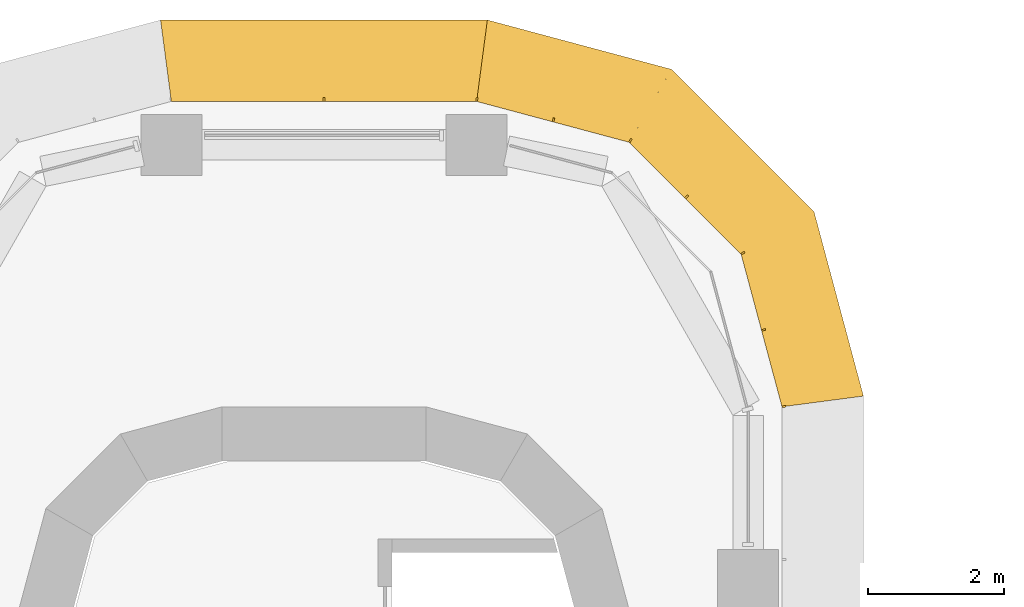
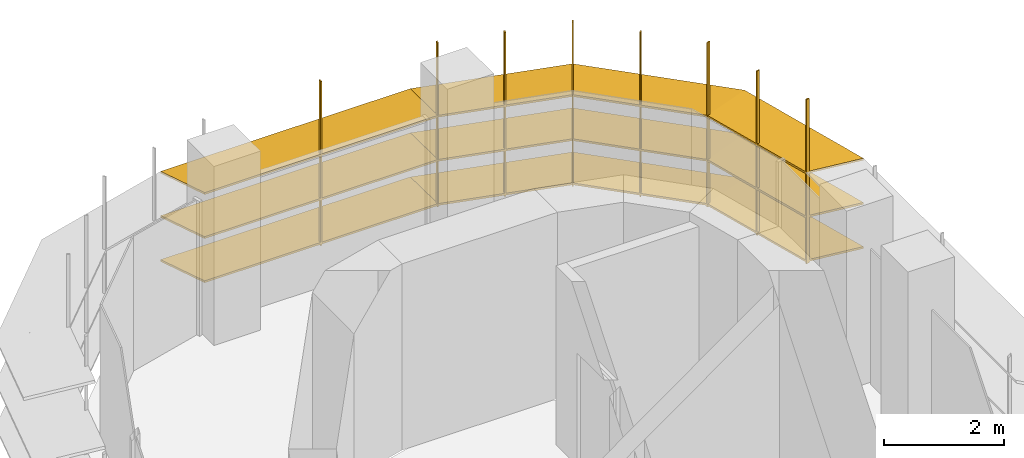
# One storey, part 23 of 23: 2 shading devices.
"""IFC4 building model written with IfcOpenShell, lengths in metres."""

import ifcopenshell
import ifcopenshell.guid

model = None  # the IFC model being written
_history = None  # IfcOwnerHistory: only IFC2X3 demands one
_inside = {}  # id of a spatial element -> (the spatial element, [elements in it])
_under = {}  # id of a project, library or spatial element -> (it, [spatial elements below it])
_declared = {}  # id of a project -> (the project, [libraries it declares])
_typed = {}  # id of a type object -> (the type object, [elements of that type])
_made_of = {}  # id of a material, layer set ... -> (it, [elements and type objects made of it])


def new_model(schema):
    """Start an empty IFC model of exactly this schema.

    Asked for "IFC4X3", IfcOpenShell would pick the latest addendum, in which some entities
    have other attributes; the version numbers below select the first issue.
    IFC2X3 requires an IfcOwnerHistory on every rooted entity: one is made here for all.
    """
    global model, _history
    if schema == "IFC4X3":
        model = ifcopenshell.file(schema_version=(4, 3, 0, 0))
    else:
        model = ifcopenshell.file(schema=schema)
    _inside.clear()
    _under.clear()
    _declared.clear()
    _typed.clear()
    _made_of.clear()
    _history = None
    if model.schema == "IFC2X3":
        org = make("IfcOrganization", Name="unknown")
        user = make(
            "IfcPersonAndOrganization",
            ThePerson=make("IfcPerson", FamilyName="unknown"),
            TheOrganization=org,
        )
        app = make(
            "IfcApplication",
            ApplicationDeveloper=org,
            Version="unknown",
            ApplicationFullName="unknown",
            ApplicationIdentifier="unknown",
        )
        _history = make(
            "IfcOwnerHistory",
            OwningUser=user,
            OwningApplication=app,
            ChangeAction="ADDED",
            CreationDate=0,
        )
    return model


def make(cls, **values):
    """One entity of the class cls with the attributes given. An attribute that is None is left unset."""
    return model.create_entity(
        cls, **{name: value for name, value in values.items() if value is not None}
    )


def rooted(cls, **values):
    """An entity with a GlobalId (a new one), such as an element, a storey or a relation."""
    return make(cls, GlobalId=ifcopenshell.guid.new(), OwnerHistory=_history, **values)


def si_unit(unit_type, name, prefix=None):
    """IfcSIUnit, for example si_unit("LENGTHUNIT", "METRE", prefix="MILLI")."""
    return make("IfcSIUnit", UnitType=unit_type, Prefix=prefix, Name=name)


def assignment(units):
    """IfcUnitAssignment: the units of a project."""
    return None if units is None else make("IfcUnitAssignment", Units=units)


def point(xyz):
    """IfcCartesianPoint."""
    return None if xyz is None else make("IfcCartesianPoint", Coordinates=xyz)


def direction(xyz):
    """IfcDirection."""
    return None if xyz is None else make("IfcDirection", DirectionRatios=xyz)


def frame(location, z_axis=None, x_axis=None):
    """IfcAxis2Placement3D, a coordinate frame: its origin and axes. An axis left out is left unset."""
    return make(
        "IfcAxis2Placement3D",
        Location=point(location),
        Axis=direction(z_axis),
        RefDirection=direction(x_axis),
    )


def origin():
    """The frame at (0, 0, 0) with its axes left unset."""
    return frame((0.0, 0.0, 0.0))


def place(relative_to, where):
    """IfcLocalPlacement: puts the frame where relative to a parent placement (None: the world)."""
    return make(
        "IfcLocalPlacement", PlacementRelTo=relative_to, RelativePlacement=where
    )


def context(
    kind, dimensions, precision=None, world=None, true_north=None, identifier=None
):
    """IfcGeometricRepresentationContext, for example the 3D "Model" context."""
    return make(
        "IfcGeometricRepresentationContext",
        ContextIdentifier=identifier,
        ContextType=kind,
        CoordinateSpaceDimension=dimensions,
        Precision=precision,
        WorldCoordinateSystem=world,
        TrueNorth=true_north,
    )


def subcontext(parent, identifier, kind, view, scale=None):
    """IfcGeometricRepresentationSubContext, for example "Body" below "Model"."""
    return make(
        "IfcGeometricRepresentationSubContext",
        ContextIdentifier=identifier,
        ContextType=kind,
        ParentContext=parent,
        TargetScale=scale,
        TargetView=view,
    )


def project(units=None, contexts=None):
    """IfcProject with its units and contexts."""
    return rooted(
        "IfcProject",
        Name="project",
        RepresentationContexts=contexts,
        UnitsInContext=assignment(units),
    )


def spatial(cls, under=None, at=None, **own):
    """A site, building, storey or space (cls), placed at a placement, below another one or the project."""
    s = rooted(cls, ObjectPlacement=at, **own)
    if under is not None:
        _under.setdefault(under.id(), (under, []))[1].append(s)
    return s


def polyline(points):
    """IfcPolyline through the points."""
    return make("IfcPolyline", Points=[point(p) for p in points])


def outline(outer, holes=None, kind="AREA"):
    """IfcArbitraryClosedProfileDef: a profile drawn as a closed curve; with holes, ...WithVoids."""
    if holes is None:
        return make("IfcArbitraryClosedProfileDef", ProfileType=kind, OuterCurve=outer)
    return make(
        "IfcArbitraryProfileDefWithVoids",
        ProfileType=kind,
        OuterCurve=outer,
        InnerCurves=holes,
    )


def extrude(swept, where, along, depth):
    """IfcExtrudedAreaSolid: the profile swept, set in the frame where, extruded along a direction by depth."""
    return make(
        "IfcExtrudedAreaSolid",
        SweptArea=swept,
        Position=where,
        ExtrudedDirection=direction(along),
        Depth=depth,
    )


def faces_of(points, faces, orient=None, outer=None):
    """IfcFace entities. A face is a list of loops; a loop is a list of indices into points, from 0.

    orient and outer hold one flag for each loop. By default every Orientation is true, the
    first loop of a face is its IfcFaceOuterBound and the others are IfcFaceBound.
    """
    made = []
    for i, loops in enumerate(faces):
        bounds = []
        for j, loop in enumerate(loops):
            is_outer = j == 0 if outer is None else outer[i][j]
            bounds.append(
                make(
                    "IfcFaceOuterBound" if is_outer else "IfcFaceBound",
                    Bound=make("IfcPolyLoop", Polygon=[points[k] for k in loop]),
                    Orientation=True if orient is None else orient[i][j],
                )
            )
        made.append(make("IfcFace", Bounds=bounds))
    return made


def faceted_brep(points, faces, orient=None, outer=None, voids=None):
    """IfcFacetedBrep: a solid bounded by flat faces; with voids (closed shells), ...WithVoids."""
    shared = [point(p) for p in points]
    hull = make("IfcClosedShell", CfsFaces=faces_of(shared, faces, orient, outer))
    if voids is None:
        return make("IfcFacetedBrep", Outer=hull)
    return make(
        "IfcFacetedBrepWithVoids",
        Outer=hull,
        Voids=[
            make(cls, CfsFaces=faces_of(shared, fs, o, b)) for cls, fs, o, b in voids
        ],
    )


def shape(context_of_items, identifier, shape_type, items):
    """IfcShapeRepresentation: the items that make up one representation, for example the "Body"."""
    return make(
        "IfcShapeRepresentation",
        ContextOfItems=context_of_items,
        RepresentationIdentifier=identifier,
        RepresentationType=shape_type,
        Items=items,
    )


def source(mapping_origin, context_of_items, identifier, shape_type, items):
    """IfcRepresentationMap: a shape defined once, which mapped items show again and again."""
    return make(
        "IfcRepresentationMap",
        MappingOrigin=mapping_origin,
        MappedRepresentation=shape(context_of_items, identifier, shape_type, items),
    )


def transform(
    local_origin,
    x_axis=None,
    y_axis=None,
    z_axis=None,
    scale=None,
    scale2=None,
    scale3=None,
    uniform=True,
):
    """IfcCartesianTransformationOperator3D, or its non-uniform kind. x_axis, y_axis, z_axis: its Axis1, 2, 3."""
    if uniform:
        return make(
            "IfcCartesianTransformationOperator3D",
            Axis1=direction(x_axis),
            Axis2=direction(y_axis),
            LocalOrigin=point(local_origin),
            Scale=scale,
            Axis3=direction(z_axis),
        )
    return make(
        "IfcCartesianTransformationOperator3DnonUniform",
        Axis1=direction(x_axis),
        Axis2=direction(y_axis),
        LocalOrigin=point(local_origin),
        Scale=scale,
        Axis3=direction(z_axis),
        Scale2=scale2,
        Scale3=scale3,
    )


def mapped(mapping_source, mapping_target):
    """IfcMappedItem: shows the shape of a source again, moved by a transform."""
    return make(
        "IfcMappedItem", MappingSource=mapping_source, MappingTarget=mapping_target
    )


def material(Name=None, Category=None):
    """IfcMaterial."""
    return make("IfcMaterial", Name=Name, Category=Category)


def made_of(thing, what):
    """Note that an element or type object is made of a material, layer set ...; save() writes the relation."""
    if what is not None:
        _made_of.setdefault(what.id(), (what, []))[1].append(thing)
    return thing


def type_object(cls, material=None, **own):
    """A type object (cls), such as IfcWallType, which elements share."""
    return made_of(rooted(cls, **own), material)


def element(
    cls,
    number,
    at=None,
    inside=None,
    cuts=None,
    type_object=None,
    material=None,
    context=None,
    identifier="Body",
    shape_type=None,
    held_by="IfcProductDefinitionShape",
    body=None,
    shapes=None,
    **own,
):
    """One element of the class cls, such as IfcWall. Its Tag is "e" and its number.

    at: its placement. inside: the storey or other place that contains it. cuts: it is an
    opening in that element (IfcRelVoidsElement). A single representation is given by context,
    identifier, shape_type and body (its items); several are given by shapes. held_by: the class
    of the entity that holds the representations. save() writes the other relations.
    """
    e = rooted(cls, Tag="e%d" % number, ObjectPlacement=at, **own)
    if body is not None:
        shapes = [shape(context, identifier, shape_type, body)]
    if shapes is not None:
        e.Representation = make(held_by, Representations=shapes)
    if inside is not None:
        _inside.setdefault(inside.id(), (inside, []))[1].append(e)
    if cuts is not None:
        rooted(
            "IfcRelVoidsElement", RelatingBuildingElement=cuts, RelatedOpeningElement=e
        )
    if type_object is not None:
        _typed.setdefault(type_object.id(), (type_object, []))[1].append(e)
    return made_of(e, material)


def aggregate(whole, parts):
    """IfcRelAggregates: a whole, such as a stair, and the parts it consists of."""
    return rooted("IfcRelAggregates", RelatingObject=whole, RelatedObjects=parts)


def save(model, path):
    """Write the relations noted so far, then the file.

    IfcRelAggregates (storeys below a building ...), IfcRelContainedInSpatialStructure (elements
    in a storey), IfcRelDefinesByType, IfcRelAssociatesMaterial and IfcRelDeclares: one each for
    every whole, place, type object, material and project.
    """
    for whole, parts in _under.values():
        aggregate(whole, parts)
    for where, things in _inside.values():
        rooted(
            "IfcRelContainedInSpatialStructure",
            RelatedElements=things,
            RelatingStructure=where,
        )
    for kind, things in _typed.values():
        rooted("IfcRelDefinesByType", RelatedObjects=things, RelatingType=kind)
    for what, things in _made_of.values():
        rooted("IfcRelAssociatesMaterial", RelatedObjects=things, RelatingMaterial=what)
    for by, libraries in _declared.values():
        rooted("IfcRelDeclares", RelatingContext=by, RelatedDefinitions=libraries)
    model.write(path)


model = new_model("IFC4")

# Units and contexts
model_context = context("Model", 3, precision=1e-05, world=origin(), true_north=direction((0.0, 1.0)))
body_context = subcontext(model_context, "Body", "Model", "MODEL_VIEW")
ifc_project = project(units=[si_unit("LENGTHUNIT", "METRE"), si_unit("AREAUNIT", "SQUARE_METRE"), si_unit("VOLUMEUNIT", "CUBIC_METRE"), si_unit("PLANEANGLEUNIT", "RADIAN"), si_unit("MASSUNIT", "GRAM", prefix="KILO")], contexts=[model_context])

# Site, building, storey
site_placement = place(None, origin())
site = spatial("IfcSite", under=ifc_project, at=site_placement, CompositionType="ELEMENT")
building_placement = place(site_placement, origin())
building = spatial("IfcBuilding", under=site, at=building_placement, Name="Zarbagh Exchange Tower", CompositionType="ELEMENT")
storey_placement = place(building_placement, frame((0.0, 0.0, 86.60009765625)))
storey = spatial("IfcBuildingStorey", under=building, at=storey_placement, Name="L19", CompositionType="ELEMENT", Elevation=86.60009765625)

# Shading devices
ifc_material = material(Name="Anodised aluminium blades and brackets", Category="aluminium")
shading_device_type = type_object("IfcShadingDeviceType", Name="SUNSHADE louvre band, 11.25 degree blades", PredefinedType="JALOUSIE", material=ifc_material)
shared_shape_1 = source(origin(), body_context, "Body", "Brep", [
    faceted_brep([(0.0, 0.0, 0.0), (0.0, 0.0, -0.040771484375), (-0.157958984375, -1.199951171875, -0.279541015625), (-0.157958984375, -1.199951171875, -0.23876953125), (2.65087890625, -1.199951171875, -0.23876953125), (2.65087890625, -1.199951171875, -0.279541015625), (2.329345703125, 0.0, -0.040771484375), (2.329345703125, 0.0, 0.0)], [[[0, 1, 2, 3]], [[4, 5, 6, 7]], [[0, 7, 6, 1]], [[1, 6, 5, 2]], [[2, 5, 4, 3]], [[3, 4, 7, 0]]]),
])
shared_shape_2 = source(origin(), body_context, "Body", "Brep", [
    faceted_brep([(0.0, 0.0, 0.0), (0.0, 0.0, -0.040771484375), (-0.321533203125, -1.199951171875, -0.279541015625), (-0.321533203125, -1.199951171875, -0.23876953125), (2.65087890625, -1.199951171875, -0.23876953125), (2.65087890625, -1.199951171875, -0.279541015625), (2.329345703125, 0.0, -0.040771484375), (2.329345703125, 0.0, 0.0)], [[[0, 1, 2, 3]], [[4, 5, 6, 7]], [[0, 7, 6, 1]], [[1, 6, 5, 2]], [[2, 5, 4, 3]], [[3, 4, 7, 0]]]),
])
shared_shape_3 = source(origin(), body_context, "Body", "Brep", [
    faceted_brep([(0.0, 0.0, 0.0), (0.0, 0.0, -0.040771484375), (-0.321533203125, -1.199951171875, -0.279541015625), (-0.321533203125, -1.199951171875, -0.23876953125), (2.4873046875, -1.199951171875, -0.23876953125), (2.4873046875, -1.199951171875, -0.279541015625), (2.329345703125, 0.0, -0.040771484375), (2.329345703125, 0.0, 0.0)], [[[0, 1, 2, 3]], [[4, 5, 6, 7]], [[0, 7, 6, 1]], [[1, 6, 5, 2]], [[2, 5, 4, 3]], [[3, 4, 7, 0]]]),
])
shared_shape_4 = source(origin(), body_context, "Body", "SweptSolid", [
    extrude(outline(polyline([(0.0, -0.012451171875), (0.06005859375, -0.012451171875), (0.06005859375, 0.012451171875), (0.0, 0.012451171875), (0.0, -0.012451171875)])), origin(), (0.0, 0.0, 1.0), 3.350830078125),
])
placement = place(storey_placement, origin())
element("IfcShadingDevice", 1, at=placement, inside=storey, type_object=shading_device_type, Name="SS11 sunshade band", PredefinedType="JALOUSIE", context=body_context, shape_type="MappedRepresentation", body=[
    mapped(shared_shape_1, transform((6.75, 29.25, 2.2998046875), x_axis=(-0.258824779902, 0.965924289636, 0.0), y_axis=(-0.965924289636, -0.258824779902, 0.0), z_axis=(0.0, 0.0, 1.0))),
    mapped(shared_shape_1, transform((6.75, 29.25, 1.39990234375), x_axis=(-0.258824779902, 0.965924289636, 0.0), y_axis=(-0.965924289636, -0.258824779902, 0.0), z_axis=(0.0, 0.0, 1.0))),
    mapped(shared_shape_1, transform((6.75, 29.25, 0.5), x_axis=(-0.258824779902, 0.965924289636, 0.0), y_axis=(-0.965924289636, -0.258824779902, 0.0), z_axis=(0.0, 0.0, 1.0))),
    mapped(shared_shape_2, transform((6.147216796875, 31.5, 2.2998046875), x_axis=(-0.707106781187, 0.707106781187, 0.0), y_axis=(-0.707106781187, -0.707106781187, 0.0), z_axis=(0.0, 0.0, 1.0))),
    mapped(shared_shape_2, transform((6.147216796875, 31.5, 1.39990234375), x_axis=(-0.707106781187, 0.707106781187, 0.0), y_axis=(-0.707106781187, -0.707106781187, 0.0), z_axis=(0.0, 0.0, 1.0))),
    mapped(shared_shape_2, transform((6.147216796875, 31.5, 0.5), x_axis=(-0.707106781187, 0.707106781187, 0.0), y_axis=(-0.707106781187, -0.707106781187, 0.0), z_axis=(0.0, 0.0, 1.0))),
    mapped(shared_shape_3, transform((4.5, 33.147216796875, 2.2998046875), x_axis=(-0.965924289636, 0.258824779902, 0.0), y_axis=(-0.258824779902, -0.965924289636, 0.0), z_axis=(0.0, 0.0, 1.0))),
    mapped(shared_shape_3, transform((4.5, 33.147216796875, 1.39990234375), x_axis=(-0.965924289636, 0.258824779902, 0.0), y_axis=(-0.258824779902, -0.965924289636, 0.0), z_axis=(0.0, 0.0, 1.0))),
    mapped(shared_shape_3, transform((4.5, 33.147216796875, 0.5), x_axis=(-0.965924289636, 0.258824779902, 0.0), y_axis=(-0.258824779902, -0.965924289636, 0.0), z_axis=(0.0, 0.0, 1.0))),
    mapped(shared_shape_4, transform((6.75, 29.25, 0.42919921875), x_axis=(0.991444457092, 0.130529263012, 0.0), y_axis=(-0.130529263012, 0.991444457092, 0.0), z_axis=(0.0, 0.0, 1.0))),
    mapped(shared_shape_4, transform((6.448486328125, 30.375, 0.42919921875), x_axis=(0.96592421511, 0.258825058029, 0.0), y_axis=(-0.258825058029, 0.96592421511, 0.0), z_axis=(0.0, 0.0, 1.0))),
    mapped(shared_shape_4, transform((6.147216796875, 31.5, 0.42919921875), x_axis=(0.866023812018, 0.50000275701, 0.0), y_axis=(-0.50000275701, 0.866023812018, 0.0), z_axis=(0.0, 0.0, 1.0))),
    mapped(shared_shape_4, transform((5.323486328125, 32.323486328125, 0.42919921875), x_axis=(0.707106781187, 0.707106781187, 0.0), y_axis=(-0.707106781187, 0.707106781187, 0.0), z_axis=(0.0, 0.0, 1.0))),
    mapped(shared_shape_4, transform((4.5, 33.147216796875, 0.42919921875), x_axis=(0.50000275701, 0.866023812018, 0.0), y_axis=(-0.866023812018, 0.50000275701, 0.0), z_axis=(0.0, 0.0, 1.0))),
    mapped(shared_shape_4, transform((3.375, 33.448486328125, 0.42919921875), x_axis=(0.258825058029, 0.96592421511, 0.0), y_axis=(-0.96592421511, 0.258825058029, 0.0), z_axis=(0.0, 0.0, 1.0))),
])
shared_shape_5 = source(origin(), body_context, "Body", "Brep", [
    faceted_brep([(0.0, 0.0, 0.0), (0.0, 0.0, -0.040771484375), (-0.157958984375, -1.199951171875, -0.279541015625), (-0.157958984375, -1.199951171875, -0.23876953125), (4.657958984375, -1.199951171875, -0.23876953125), (4.657958984375, -1.199951171875, -0.279541015625), (4.5, 0.0, -0.040771484375), (4.5, 0.0, 0.0)], [[[0, 1, 2, 3]], [[4, 5, 6, 7]], [[0, 7, 6, 1]], [[1, 6, 5, 2]], [[2, 5, 4, 3]], [[3, 4, 7, 0]]]),
])
element("IfcShadingDevice", 2, at=placement, inside=storey, type_object=shading_device_type, Name="SS12 sunshade band", PredefinedType="JALOUSIE", context=body_context, shape_type="MappedRepresentation", body=[
    mapped(shared_shape_5, transform((2.25, 33.75, 2.2998046875), x_axis=(-1.0, 0.0, 0.0), y_axis=(0.0, -1.0, 0.0), z_axis=(0.0, 0.0, 1.0))),
    mapped(shared_shape_5, transform((2.25, 33.75, 1.39990234375), x_axis=(-1.0, 0.0, 0.0), y_axis=(0.0, -1.0, 0.0), z_axis=(0.0, 0.0, 1.0))),
    mapped(shared_shape_5, transform((2.25, 33.75, 0.5), x_axis=(-1.0, 0.0, 0.0), y_axis=(0.0, -1.0, 0.0), z_axis=(0.0, 0.0, 1.0))),
    mapped(shared_shape_4, transform((2.25, 33.75, 0.42919921875), x_axis=(0.130529263012, 0.991444457092, 0.0), y_axis=(-0.991444457092, 0.130529263012, 0.0), z_axis=(0.0, 0.0, 1.0))),
    mapped(shared_shape_4, transform((0.0, 33.75, 0.42919921875), x_axis=(0.0, 1.0, 0.0), y_axis=(-1.0, 0.0, 0.0), z_axis=(0.0, 0.0, 1.0))),
])

save(model, "model.ifc")
